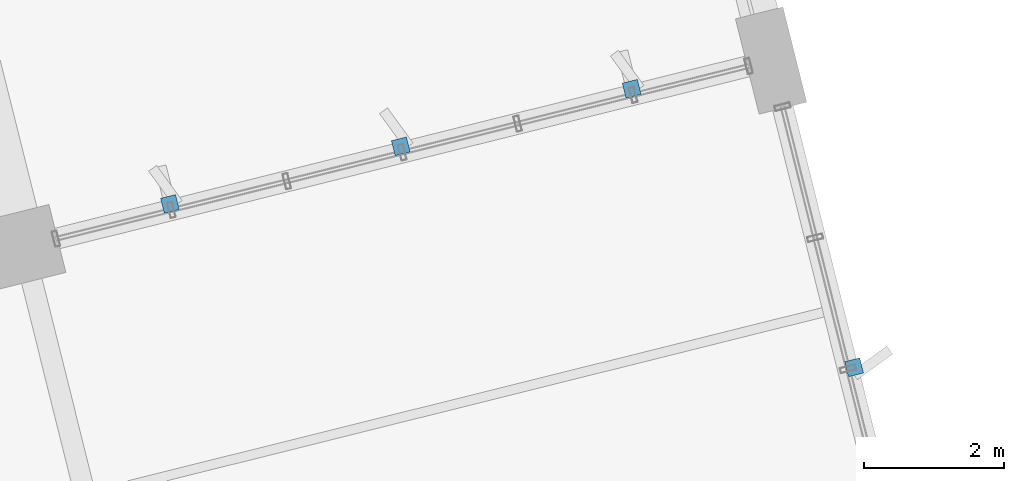
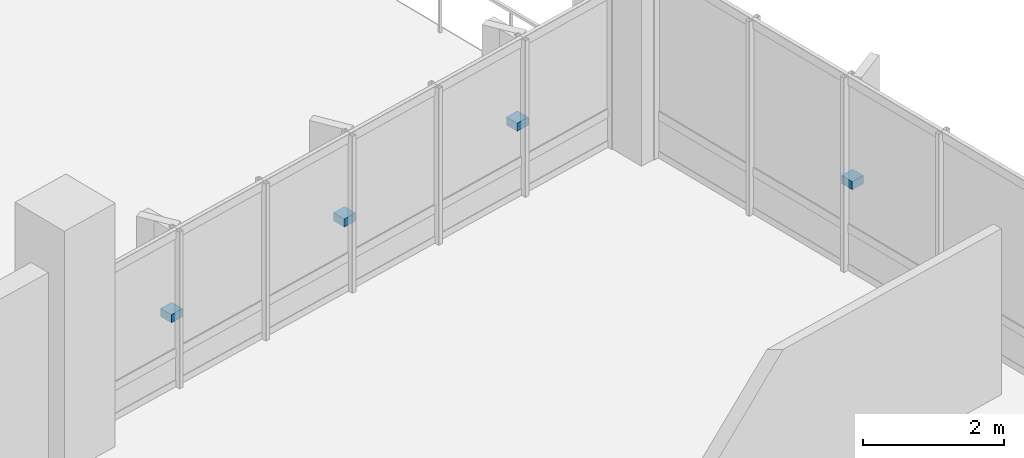
# One storey, part 38 of 42: 4 discrete accessories.
"""IFC4 building model written with IfcOpenShell, lengths in metres."""

from ifc_helpers import new_model, si_unit, direction, frame, origin, origin_2d, place, context, subcontext, project, spatial, rectangle, extrude, material, type_object, element, save


model = new_model("IFC4")

# Units and contexts
model_context = context("Model", 3, precision=1e-05, world=origin(), true_north=direction((0.0, 1.0)))
body_context = subcontext(model_context, "Body", "Model", "MODEL_VIEW")
ifc_project = project(units=[si_unit("LENGTHUNIT", "METRE"), si_unit("AREAUNIT", "SQUARE_METRE"), si_unit("VOLUMEUNIT", "CUBIC_METRE"), si_unit("PLANEANGLEUNIT", "RADIAN"), si_unit("MASSUNIT", "GRAM", prefix="KILO")], contexts=[model_context])

# Site, building, storey
site_placement = place(None, origin())
site = spatial("IfcSite", under=ifc_project, at=site_placement, CompositionType="ELEMENT")
building_placement = place(site_placement, origin())
building = spatial("IfcBuilding", under=site, at=building_placement, Name="Khorjan Park Terminus", CompositionType="ELEMENT")
storey_placement = place(building_placement, frame((0.0, 0.0, 20.4)))
storey = spatial("IfcBuildingStorey", under=building, at=storey_placement, Name="L04", CompositionType="ELEMENT", Elevation=20.4)

# Discrete accessories
ifc_material = material(Name="Steel S355", Category="steel")
discrete_accessory_type = type_object("IfcDiscreteAccessoryType", Name="ACC-BRK-FIN", PredefinedType="BRACKET", material=ifc_material)
for number, where, z_axis, x_axis, name in (
    (1, (217.9185, 66.9536, 1.4217), (0.0, 0.0, 1.0), (-0.241935125171, 0.970292427678, 0.0), "Solar fin structural bracket BK-01 (CW-V5-E-L04-B05-3)"),
    (2, (214.7442, 70.9297, 1.1293), (0.0, 0.0, 1.0), (-0.970296438026, -0.241919040907, 0.0), "Solar fin structural bracket BK-01 (CW-V5-N-L04-B01-1)"),
    (3, (211.4485, 70.108, 1.1293), (0.0, 0.0, 1.0), (-0.970296438026, -0.241919040907, 0.0), "Solar fin structural bracket BK-01 (CW-V5-N-L04-B01-3)"),
    (4, (208.1528, 69.2863, 1.1293), (0.0, 0.0, 1.0), (-0.970296438026, -0.241919040907, 0.0), "Solar fin structural bracket BK-01 (CW-V5-N-L04-B01-5)"),
):
    element("IfcDiscreteAccessory", number, at=place(storey_placement, frame(where, z_axis=z_axis, x_axis=x_axis)), inside=storey, type_object=discrete_accessory_type, Name=name, PredefinedType="BRACKET", context=body_context, shape_type="SweptSolid", body=[
        extrude(rectangle(XDim=0.22, YDim=0.22, at=origin_2d()), origin(), (0.0, 0.0, 1.0), 0.14),
    ])

save(model, "model.ifc")
